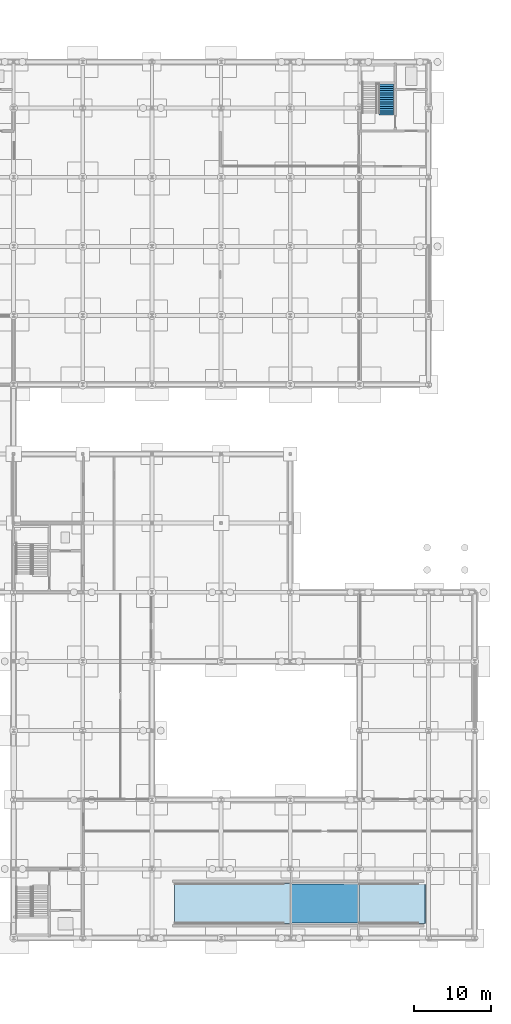
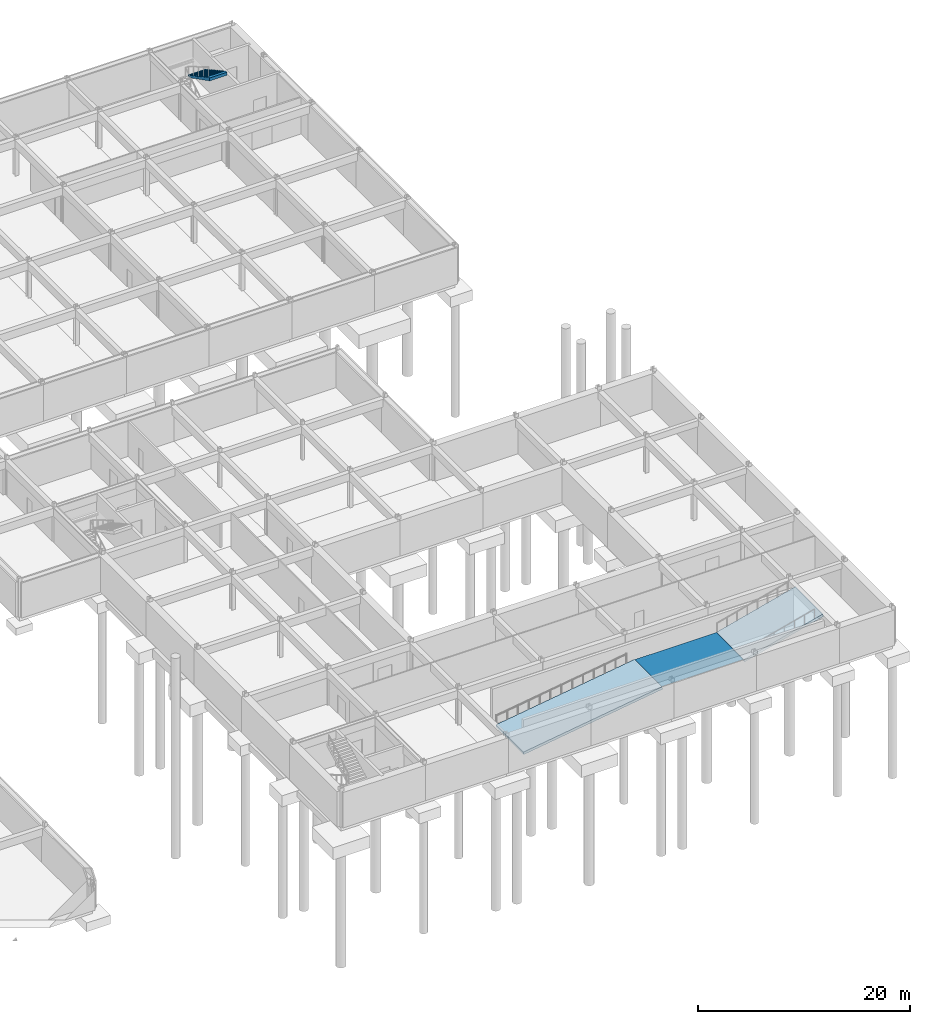
# One storey, part 33 of 41: 2 slabs, 1 ramp, 1 stair flight, 1 element without a shape of its own.
"""IFC4 building model written with IfcOpenShell, lengths in metres."""

import ifcopenshell
import ifcopenshell.guid

model = None  # the IFC model being written
_history = None  # IfcOwnerHistory: only IFC2X3 demands one
_inside = {}  # id of a spatial element -> (the spatial element, [elements in it])
_under = {}  # id of a project, library or spatial element -> (it, [spatial elements below it])
_declared = {}  # id of a project -> (the project, [libraries it declares])
_typed = {}  # id of a type object -> (the type object, [elements of that type])
_made_of = {}  # id of a material, layer set ... -> (it, [elements and type objects made of it])


def new_model(schema):
    """Start an empty IFC model of exactly this schema.

    Asked for "IFC4X3", IfcOpenShell would pick the latest addendum, in which some entities
    have other attributes; the version numbers below select the first issue.
    IFC2X3 requires an IfcOwnerHistory on every rooted entity: one is made here for all.
    """
    global model, _history
    if schema == "IFC4X3":
        model = ifcopenshell.file(schema_version=(4, 3, 0, 0))
    else:
        model = ifcopenshell.file(schema=schema)
    _inside.clear()
    _under.clear()
    _declared.clear()
    _typed.clear()
    _made_of.clear()
    _history = None
    if model.schema == "IFC2X3":
        org = make("IfcOrganization", Name="unknown")
        user = make(
            "IfcPersonAndOrganization",
            ThePerson=make("IfcPerson", FamilyName="unknown"),
            TheOrganization=org,
        )
        app = make(
            "IfcApplication",
            ApplicationDeveloper=org,
            Version="unknown",
            ApplicationFullName="unknown",
            ApplicationIdentifier="unknown",
        )
        _history = make(
            "IfcOwnerHistory",
            OwningUser=user,
            OwningApplication=app,
            ChangeAction="ADDED",
            CreationDate=0,
        )
    return model


def make(cls, **values):
    """One entity of the class cls with the attributes given. An attribute that is None is left unset."""
    return model.create_entity(
        cls, **{name: value for name, value in values.items() if value is not None}
    )


def rooted(cls, **values):
    """An entity with a GlobalId (a new one), such as an element, a storey or a relation."""
    return make(cls, GlobalId=ifcopenshell.guid.new(), OwnerHistory=_history, **values)


def si_unit(unit_type, name, prefix=None):
    """IfcSIUnit, for example si_unit("LENGTHUNIT", "METRE", prefix="MILLI")."""
    return make("IfcSIUnit", UnitType=unit_type, Prefix=prefix, Name=name)


def assignment(units):
    """IfcUnitAssignment: the units of a project."""
    return None if units is None else make("IfcUnitAssignment", Units=units)


def point(xyz):
    """IfcCartesianPoint."""
    return None if xyz is None else make("IfcCartesianPoint", Coordinates=xyz)


def direction(xyz):
    """IfcDirection."""
    return None if xyz is None else make("IfcDirection", DirectionRatios=xyz)


def frame(location, z_axis=None, x_axis=None):
    """IfcAxis2Placement3D, a coordinate frame: its origin and axes. An axis left out is left unset."""
    return make(
        "IfcAxis2Placement3D",
        Location=point(location),
        Axis=direction(z_axis),
        RefDirection=direction(x_axis),
    )


def origin():
    """The frame at (0, 0, 0) with its axes left unset."""
    return frame((0.0, 0.0, 0.0))


def place(relative_to, where):
    """IfcLocalPlacement: puts the frame where relative to a parent placement (None: the world)."""
    return make(
        "IfcLocalPlacement", PlacementRelTo=relative_to, RelativePlacement=where
    )


def context(
    kind, dimensions, precision=None, world=None, true_north=None, identifier=None
):
    """IfcGeometricRepresentationContext, for example the 3D "Model" context."""
    return make(
        "IfcGeometricRepresentationContext",
        ContextIdentifier=identifier,
        ContextType=kind,
        CoordinateSpaceDimension=dimensions,
        Precision=precision,
        WorldCoordinateSystem=world,
        TrueNorth=true_north,
    )


def subcontext(parent, identifier, kind, view, scale=None):
    """IfcGeometricRepresentationSubContext, for example "Body" below "Model"."""
    return make(
        "IfcGeometricRepresentationSubContext",
        ContextIdentifier=identifier,
        ContextType=kind,
        ParentContext=parent,
        TargetScale=scale,
        TargetView=view,
    )


def project(units=None, contexts=None):
    """IfcProject with its units and contexts."""
    return rooted(
        "IfcProject",
        Name="project",
        RepresentationContexts=contexts,
        UnitsInContext=assignment(units),
    )


def spatial(cls, under=None, at=None, **own):
    """A site, building, storey or space (cls), placed at a placement, below another one or the project."""
    s = rooted(cls, ObjectPlacement=at, **own)
    if under is not None:
        _under.setdefault(under.id(), (under, []))[1].append(s)
    return s


def polyline(points):
    """IfcPolyline through the points."""
    return make("IfcPolyline", Points=[point(p) for p in points])


def outline(outer, holes=None, kind="AREA"):
    """IfcArbitraryClosedProfileDef: a profile drawn as a closed curve; with holes, ...WithVoids."""
    if holes is None:
        return make("IfcArbitraryClosedProfileDef", ProfileType=kind, OuterCurve=outer)
    return make(
        "IfcArbitraryProfileDefWithVoids",
        ProfileType=kind,
        OuterCurve=outer,
        InnerCurves=holes,
    )


def extrude(swept, where, along, depth):
    """IfcExtrudedAreaSolid: the profile swept, set in the frame where, extruded along a direction by depth."""
    return make(
        "IfcExtrudedAreaSolid",
        SweptArea=swept,
        Position=where,
        ExtrudedDirection=direction(along),
        Depth=depth,
    )


def shape(context_of_items, identifier, shape_type, items):
    """IfcShapeRepresentation: the items that make up one representation, for example the "Body"."""
    return make(
        "IfcShapeRepresentation",
        ContextOfItems=context_of_items,
        RepresentationIdentifier=identifier,
        RepresentationType=shape_type,
        Items=items,
    )


def material(Name=None, Category=None):
    """IfcMaterial."""
    return make("IfcMaterial", Name=Name, Category=Category)


def layer(
    of_material, thickness, ventilated=None, Name=None, Category=None, Priority=None
):
    """IfcMaterialLayer: one layer of a wall or slab, of a material (None: an air gap)."""
    return make(
        "IfcMaterialLayer",
        Material=of_material,
        LayerThickness=thickness,
        IsVentilated=ventilated,
        Name=Name,
        Category=Category,
        Priority=Priority,
    )


def layer_set(layers, Name=None):
    """IfcMaterialLayerSet."""
    return make("IfcMaterialLayerSet", MaterialLayers=layers, LayerSetName=Name)


def made_of(thing, what):
    """Note that an element or type object is made of a material, layer set ...; save() writes the relation."""
    if what is not None:
        _made_of.setdefault(what.id(), (what, []))[1].append(thing)
    return thing


def type_object(cls, material=None, **own):
    """A type object (cls), such as IfcWallType, which elements share."""
    return made_of(rooted(cls, **own), material)


def element(
    cls,
    number,
    at=None,
    inside=None,
    cuts=None,
    type_object=None,
    material=None,
    context=None,
    identifier="Body",
    shape_type=None,
    held_by="IfcProductDefinitionShape",
    body=None,
    shapes=None,
    **own,
):
    """One element of the class cls, such as IfcWall. Its Tag is "e" and its number.

    at: its placement. inside: the storey or other place that contains it. cuts: it is an
    opening in that element (IfcRelVoidsElement). A single representation is given by context,
    identifier, shape_type and body (its items); several are given by shapes. held_by: the class
    of the entity that holds the representations. save() writes the other relations.
    """
    e = rooted(cls, Tag="e%d" % number, ObjectPlacement=at, **own)
    if body is not None:
        shapes = [shape(context, identifier, shape_type, body)]
    if shapes is not None:
        e.Representation = make(held_by, Representations=shapes)
    if inside is not None:
        _inside.setdefault(inside.id(), (inside, []))[1].append(e)
    if cuts is not None:
        rooted(
            "IfcRelVoidsElement", RelatingBuildingElement=cuts, RelatedOpeningElement=e
        )
    if type_object is not None:
        _typed.setdefault(type_object.id(), (type_object, []))[1].append(e)
    return made_of(e, material)


def aggregate(whole, parts):
    """IfcRelAggregates: a whole, such as a stair, and the parts it consists of."""
    return rooted("IfcRelAggregates", RelatingObject=whole, RelatedObjects=parts)


def save(model, path):
    """Write the relations noted so far, then the file.

    IfcRelAggregates (storeys below a building ...), IfcRelContainedInSpatialStructure (elements
    in a storey), IfcRelDefinesByType, IfcRelAssociatesMaterial and IfcRelDeclares: one each for
    every whole, place, type object, material and project.
    """
    for whole, parts in _under.values():
        aggregate(whole, parts)
    for where, things in _inside.values():
        rooted(
            "IfcRelContainedInSpatialStructure",
            RelatedElements=things,
            RelatingStructure=where,
        )
    for kind, things in _typed.values():
        rooted("IfcRelDefinesByType", RelatedObjects=things, RelatingType=kind)
    for what, things in _made_of.values():
        rooted("IfcRelAssociatesMaterial", RelatedObjects=things, RelatingMaterial=what)
    for by, libraries in _declared.values():
        rooted("IfcRelDeclares", RelatingContext=by, RelatedDefinitions=libraries)
    model.write(path)


model = new_model("IFC4")

# Units and contexts
model_context = context("Model", 3, precision=1e-05, world=origin(), true_north=direction((0.0, 1.0)))
body_context = subcontext(model_context, "Body", "Model", "MODEL_VIEW")
ifc_project = project(units=[si_unit("LENGTHUNIT", "METRE"), si_unit("AREAUNIT", "SQUARE_METRE"), si_unit("VOLUMEUNIT", "CUBIC_METRE"), si_unit("PLANEANGLEUNIT", "RADIAN"), si_unit("MASSUNIT", "GRAM", prefix="KILO")], contexts=[model_context])

# Slab
ifc_material_1 = material(Name="Concrete C40/50", Category="concrete")
ifc_layer = layer(ifc_material_1, 0.300048828125)
ifc_layer_set = layer_set([ifc_layer], Name="Basement Vehicle Ramp Slab 300 Concrete C40/50")
slab_type = type_object("IfcSlabType", Name="Basement Vehicle Ramp Slab 300 Concrete C40/50", PredefinedType="FLOOR", material=ifc_layer_set)
site_placement = place(None, origin())
building_placement = place(site_placement, origin())
storey_placement = place(building_placement, frame((0.0, 0.0, -8.9599609375)))
slab_1_placement = place(storey_placement, frame((128.9599609375, 1.89990234375, 0.0), z_axis=(-0.146927631894, 0.0, 0.98914724434), x_axis=(0.98914724434, 0.0, 0.146927631894)))
slab_1 = element("IfcSlab", 1, at=slab_1_placement, type_object=slab_type, Name="Lower basement vehicle ramp R2 Flight 1", PredefinedType="FLOOR", context=body_context, shape_type="SweptSolid", body=[
    extrude(outline(polyline([(0.0, 0.0), (15.245534182382686, 0.0), (15.245534182382686, 5.2001953125), (0.0, 5.2001953125), (0.0, 0.0)])), origin(), (0.0, 0.0, -1.0), 0.300048828125),
])

slab_2_placement = place(storey_placement, frame((152.9599609375, 1.89990234375, 2.239990234375), z_axis=(-0.252602334309, 0.0, 0.967570183864), x_axis=(0.967570183864, 0.0, 0.252602334309)))
slab_2 = element("IfcSlab", 2, at=slab_2_placement, type_object=slab_type, Name="Lower basement vehicle ramp R2 Flight 2", PredefinedType="FLOOR", context=body_context, shape_type="SweptSolid", body=[
    extrude(outline(polyline([(0.0, 0.0), (8.86765453100192, 0.0), (8.86765453100192, 5.2001953125), (0.0, 5.2001953125), (0.0, 0.0)])), origin(), (0.0, 0.0, -1.0), 0.300048828125),
])

# Site, building, storey
site = spatial("IfcSite", under=ifc_project, at=site_placement, CompositionType="ELEMENT")
building = spatial("IfcBuilding", under=site, at=building_placement, Name="Palais des Congres Ocreval", CompositionType="ELEMENT")
storey = spatial("IfcBuildingStorey", under=building, at=storey_placement, Name="B2", CompositionType="ELEMENT", Elevation=-8.9599609375)

# Stair, stair flight
stair_type = type_object("IfcStairType", Name="Wing Core Stair 1900 Concrete C40/50", PredefinedType="HALF_TURN_STAIR", material=ifc_material_1)
stair_placement = place(storey_placement, origin())
stair = element("IfcStair", 3, at=stair_placement, inside=storey, type_object=stair_type, Name="Protected Core Stair ST08 B2", PredefinedType="HALF_TURN_STAIR")
stair_flight_type = type_object("IfcStairFlightType", Name="Wing Stair Flight W1900 Concrete C40/50", PredefinedType="STRAIGHT", material=ifc_material_1)
stair_flight_placement = place(storey_placement, frame((156.47998046875, 111.1201171875, 2.239990234375), z_axis=(0.0, 0.0, 1.0), x_axis=(0.0, -1.0, 0.0)))
stair_flight = element("IfcStairFlight", 4, at=stair_flight_placement, type_object=stair_flight_type, Name="Stair ST08 B2 Flight 2", NumberOfRisers=14, NumberOfTreads=13, PredefinedType="STRAIGHT", RiserHeight=0.16, TreadLength=0.29, context=body_context, shape_type="SweptSolid", body=[
    extrude(outline(polyline([(-0.006103515625, 0.0), (-0.006103515625, 0.080078125), (0.0, 0.159912109375), (0.2900390625, 0.159912109375), (0.2900390625, 0.320068359375), (0.580078125, 0.320068359375), (0.580078125, 0.47998046875), (0.8701171875, 0.47998046875), (0.8701171875, 0.639892578125), (1.159912109375, 0.639892578125), (1.159912109375, 0.800048828125), (1.449951171875, 0.800048828125), (1.449951171875, 0.9599609375), (1.739990234375, 0.9599609375), (1.739990234375, 1.1201171875), (2.030029296875, 1.1201171875), (2.030029296875, 1.280029296875), (2.320068359375, 1.280029296875), (2.320068359375, 1.43994140625), (2.610107421875, 1.43994140625), (2.610107421875, 1.60009765625), (2.89990234375, 1.60009765625), (2.89990234375, 1.760009765625), (3.18994140625, 1.760009765625), (3.18994140625, 1.919921875), (3.47998046875, 1.919921875), (3.47998046875, 2.080078125), (3.77001953125, 2.080078125), (3.77001953125, 2.239990234375), (4.06005859375, 2.239990234375), (4.06005859375, 1.8974609375), (0.3310546875, 0.0), (-0.006103515625, 0.0)])), frame((0.0, 0.949951171875, 0.0), z_axis=(0.0, -1.0, 0.0), x_axis=(1.0, 0.0, 0.0)), (0.0, 0.0, 1.0), 1.89990234375),
])
aggregate(stair, [stair_flight])

# Ramp
ifc_material_2 = material(Name="Waterproof traffic deck coating")
ramp_type = type_object("IfcRampType", Name="Basement Vehicle Concrete Ramp 5200 Concrete C40/50", PredefinedType="STRAIGHT_RUN_RAMP", material=ifc_material_1)
ramp_placement = place(storey_placement, frame((0.0, 0.0, 2.239990234375)))
ramp = element("IfcRamp", 5, at=ramp_placement, inside=storey, type_object=ramp_type, material=ifc_material_2, Name="Lower basement vehicle ramp R2", PredefinedType="STRAIGHT_RUN_RAMP", context=body_context, shape_type="SweptSolid", body=[
    extrude(outline(polyline([(144.050048828125, 1.949951171875), (152.949951171875, 1.949951171875), (152.949951171875, 7.050048828125), (144.050048828125, 7.050048828125), (144.050048828125, 1.949951171875)])), origin(), (0.0, 0.0, 1.0), 0.008056640625),
])

aggregate(ramp, [slab_1, slab_2])

save(model, "model.ifc")
